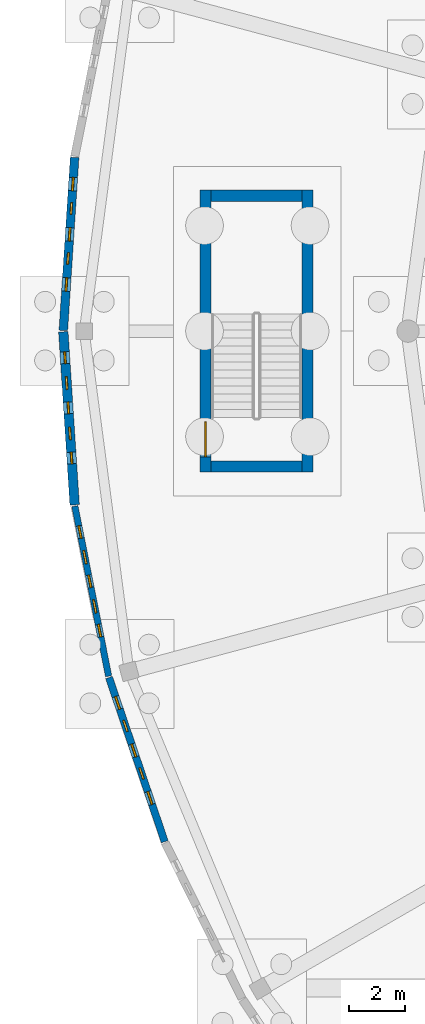
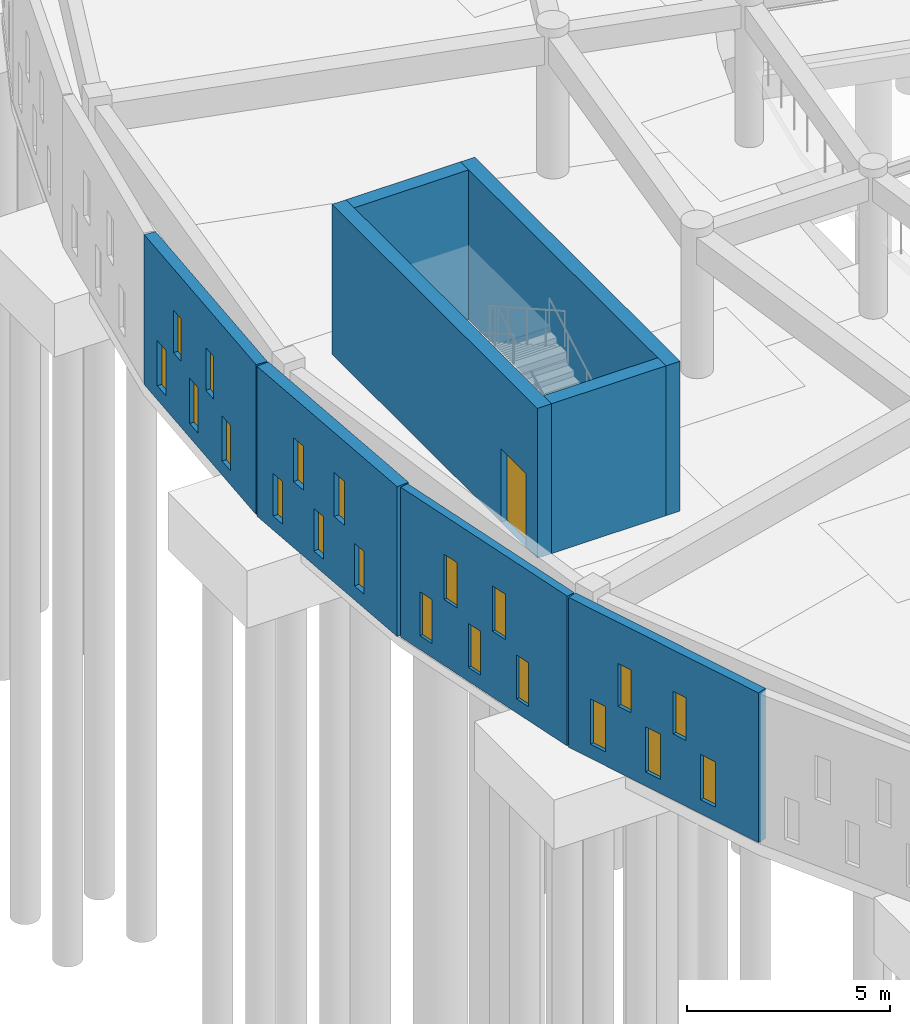
# One storey, part 44 of 84: 20 windows, 8 walls, 1 door, 21 openings.
"""IFC4 building model written with IfcOpenShell, lengths in metres."""

from ifc_helpers import new_model, si_unit, direction, frame, frame_2d, origin, place, context, subcontext, project, spatial, rectangle, extrude, material, layer, layer_set, type_object, element, fill, save


model = new_model("IFC4")

# Units and contexts
model_context = context("Model", 3, precision=1e-05, world=origin(), true_north=direction((0.0, 1.0)))
body_context = subcontext(model_context, "Body", "Model", "MODEL_VIEW")
ifc_project = project(units=[si_unit("LENGTHUNIT", "METRE"), si_unit("AREAUNIT", "SQUARE_METRE"), si_unit("VOLUMEUNIT", "CUBIC_METRE"), si_unit("PLANEANGLEUNIT", "RADIAN"), si_unit("MASSUNIT", "GRAM", prefix="KILO")], contexts=[model_context])

# Site, building, storey
site_placement = place(None, origin())
site = spatial("IfcSite", under=ifc_project, at=site_placement, CompositionType="ELEMENT")
building_placement = place(site_placement, origin())
building = spatial("IfcBuilding", under=site, at=building_placement, Name="Larkveld Mobility Hub", CompositionType="ELEMENT")
storey_placement = place(building_placement, origin())
storey = spatial("IfcBuildingStorey", under=building, at=storey_placement, Name="L00", CompositionType="ELEMENT", Elevation=0.0)

# Wall, openings, windows
ifc_material_1 = material(Name="Fired clay brick 25 MPa", Category="masonry")
ifc_layer_1 = layer(ifc_material_1, 0.22998046875, Name="Fired clay brick 25 MPa", Category="masonry")
ifc_layer_set_1 = layer_set([ifc_layer_1], Name="Fired clay brick 25 MPa")
wall_type_1 = type_object("IfcWallType", Name="WL-BRK-230", PredefinedType="USERDEFINED", material=ifc_layer_set_1)
wall_1_placement = place(storey_placement, frame((0.56396484375, 41.72998046875, 0.0), z_axis=(0.0, 0.0, 1.0), x_axis=(0.195019632022, -0.980799338869, 0.0)))
wall_1 = element("IfcWall", 1, at=wall_1_placement, inside=storey, type_object=wall_type_1, Name="Drum Woven Open-Bond Brick Chord L00-0024", ObjectType="PERFORATED BRICK SCREEN", PredefinedType="USERDEFINED", context=body_context, shape_type="SweptSolid", body=[
    extrude(rectangle(XDim=6.209228515625, YDim=0.22998046875, at=frame_2d((3.1044921875, 0.0))), origin(), (0.0, 0.0, 1.0), 4.5),
])
opening_1_placement = place(wall_1_placement, frame((0.719970703125, 0.0, 0.419921875)))
opening_1 = element("IfcOpeningElement", 2, at=opening_1_placement, cuts=wall_1, Name="Opening W02", PredefinedType="OPENING", context=body_context, shape_type="SweptSolid", body=[
    extrude(rectangle(XDim=0.449951171875, YDim=1.320068359375, at=frame_2d((0.22509765625, 0.66015625))), frame((0.0, 0.125, 0.0), z_axis=(0.0, -1.0, 0.0), x_axis=(1.0, 0.0, 0.0)), (0.0, 0.0, 1.0), 0.25),
])
opening_2_placement = place(wall_1_placement, frame((2.52001953125, 0.0, 0.419921875)))
opening_2 = element("IfcOpeningElement", 3, at=opening_2_placement, cuts=wall_1, Name="Opening W02", PredefinedType="OPENING", context=body_context, shape_type="SweptSolid", body=[
    extrude(rectangle(XDim=0.449951171875, YDim=1.320068359375, at=frame_2d((0.22509765625, 0.66015625))), frame((0.0, 0.125, 0.0), z_axis=(0.0, -1.0, 0.0), x_axis=(1.0, 0.0, 0.0)), (0.0, 0.0, 1.0), 0.25),
])
opening_3_placement = place(wall_1_placement, frame((4.320068359375, 0.0, 0.419921875)))
opening_3 = element("IfcOpeningElement", 4, at=opening_3_placement, cuts=wall_1, Name="Opening W02", PredefinedType="OPENING", context=body_context, shape_type="SweptSolid", body=[
    extrude(rectangle(XDim=0.449951171875, YDim=1.320068359375, at=frame_2d((0.22509765625, 0.66015625))), frame((0.0, 0.125, 0.0), z_axis=(0.0, -1.0, 0.0), x_axis=(1.0, 0.0, 0.0)), (0.0, 0.0, 1.0), 0.25),
])
opening_4_placement = place(wall_1_placement, frame((1.6201171875, 0.0, 1.97998046875)))
opening_4 = element("IfcOpeningElement", 5, at=opening_4_placement, cuts=wall_1, Name="Opening W03", PredefinedType="OPENING", context=body_context, shape_type="SweptSolid", body=[
    extrude(rectangle(XDim=0.47998046875, YDim=1.360107421875, at=frame_2d((0.239990234375, 0.68017578125))), frame((0.0, 0.125, 0.0), z_axis=(0.0, -1.0, 0.0), x_axis=(1.0, 0.0, 0.0)), (0.0, 0.0, 1.0), 0.25),
])
opening_5_placement = place(wall_1_placement, frame((3.419921875, 0.0, 1.97998046875)))
opening_5 = element("IfcOpeningElement", 6, at=opening_5_placement, cuts=wall_1, Name="Opening W03", PredefinedType="OPENING", context=body_context, shape_type="SweptSolid", body=[
    extrude(rectangle(XDim=0.47998046875, YDim=1.360107421875, at=frame_2d((0.239990234375, 0.68017578125))), frame((0.0, 0.125, 0.0), z_axis=(0.0, -1.0, 0.0), x_axis=(1.0, 0.0, 0.0)), (0.0, 0.0, 1.0), 0.25),
])
ifc_material_2 = material(Name="Extruded aluminium ventilation grille", Category="aluminium")
window_type_1 = type_object("IfcWindowType", Name="WN-VENT-02", PartitioningType="SINGLE_PANEL", PredefinedType="WINDOW", material=ifc_material_2)
window_1_placement = place(opening_1_placement, origin())
window_1 = element("IfcWindow", 7, at=window_1_placement, inside=storey, type_object=window_type_1, Name="Window W02 (0116)", OverallHeight=1.320068359375, OverallWidth=0.449951171875, PartitioningType="SINGLE_PANEL", PredefinedType="WINDOW", context=body_context, shape_type="SweptSolid", body=[
    extrude(rectangle(XDim=0.449951171875, YDim=1.320068359375, at=frame_2d((0.22509765625, 0.66015625))), frame((0.0, 0.030029296875, 0.0), z_axis=(0.0, -1.0, 0.0), x_axis=(1.0, 0.0, 0.0)), (0.0, 0.0, 1.0), 0.06005859375),
])
fill(opening_1, window_1)
window_2_placement = place(opening_2_placement, origin())
window_2 = element("IfcWindow", 8, at=window_2_placement, inside=storey, type_object=window_type_1, Name="Window W02 (0117)", OverallHeight=1.320068359375, OverallWidth=0.449951171875, PartitioningType="SINGLE_PANEL", PredefinedType="WINDOW", context=body_context, shape_type="SweptSolid", body=[
    extrude(rectangle(XDim=0.449951171875, YDim=1.320068359375, at=frame_2d((0.22509765625, 0.66015625))), frame((0.0, 0.030029296875, 0.0), z_axis=(0.0, -1.0, 0.0), x_axis=(1.0, 0.0, 0.0)), (0.0, 0.0, 1.0), 0.06005859375),
])
fill(opening_2, window_2)
window_3_placement = place(opening_3_placement, origin())
window_3 = element("IfcWindow", 9, at=window_3_placement, inside=storey, type_object=window_type_1, Name="Window W02 (0118)", OverallHeight=1.320068359375, OverallWidth=0.449951171875, PartitioningType="SINGLE_PANEL", PredefinedType="WINDOW", context=body_context, shape_type="SweptSolid", body=[
    extrude(rectangle(XDim=0.449951171875, YDim=1.320068359375, at=frame_2d((0.22509765625, 0.66015625))), frame((0.0, 0.030029296875, 0.0), z_axis=(0.0, -1.0, 0.0), x_axis=(1.0, 0.0, 0.0)), (0.0, 0.0, 1.0), 0.06005859375),
])
fill(opening_3, window_3)
window_type_2 = type_object("IfcWindowType", Name="WN-VENT-03", PartitioningType="SINGLE_PANEL", PredefinedType="WINDOW", material=ifc_material_2)
window_4_placement = place(opening_4_placement, origin())
window_4 = element("IfcWindow", 10, at=window_4_placement, inside=storey, type_object=window_type_2, Name="Window W03 (0119)", OverallHeight=1.360107421875, OverallWidth=0.47998046875, PartitioningType="SINGLE_PANEL", PredefinedType="WINDOW", context=body_context, shape_type="SweptSolid", body=[
    extrude(rectangle(XDim=0.47998046875, YDim=1.360107421875, at=frame_2d((0.239990234375, 0.68017578125))), frame((0.0, 0.030029296875, 0.0), z_axis=(0.0, -1.0, 0.0), x_axis=(1.0, 0.0, 0.0)), (0.0, 0.0, 1.0), 0.06005859375),
])
fill(opening_4, window_4)
window_5_placement = place(opening_5_placement, origin())
window_5 = element("IfcWindow", 11, at=window_5_placement, inside=storey, type_object=window_type_2, Name="Window W03 (0120)", OverallHeight=1.360107421875, OverallWidth=0.47998046875, PartitioningType="SINGLE_PANEL", PredefinedType="WINDOW", context=body_context, shape_type="SweptSolid", body=[
    extrude(rectangle(XDim=0.47998046875, YDim=1.360107421875, at=frame_2d((0.239990234375, 0.68017578125))), frame((0.0, 0.030029296875, 0.0), z_axis=(0.0, -1.0, 0.0), x_axis=(1.0, 0.0, 0.0)), (0.0, 0.0, 1.0), 0.06005859375),
])
fill(opening_5, window_5)

ifc_layer_2 = layer(ifc_material_1, 0.260009765625, Name="Fired clay brick 25 MPa", Category="masonry")
ifc_layer_set_2 = layer_set([ifc_layer_2], Name="Fired clay brick 25 MPa")
wall_type_2 = type_object("IfcWallType", Name="WL-BRK-260", PredefinedType="USERDEFINED", material=ifc_layer_set_2)
wall_2_placement = place(storey_placement, frame((1.7880859375, 35.593017578125, 0.0), z_axis=(0.0, 0.0, 1.0), x_axis=(0.321364960579, -0.946955417172, 0.0)))
wall_2 = element("IfcWall", 12, at=wall_2_placement, inside=storey, type_object=wall_type_2, Name="Drum Woven Open-Bond Brick Chord L00-0025", ObjectType="PERFORATED BRICK SCREEN", PredefinedType="USERDEFINED", context=body_context, shape_type="SweptSolid", body=[
    extrude(rectangle(XDim=6.21044921875, YDim=0.260009765625, at=frame_2d((3.105224609375, 0.0))), origin(), (0.0, 0.0, 1.0), 4.5),
])
opening_6_placement = place(wall_2_placement, frame((0.719970703125, 0.0, 0.419921875)))
opening_6 = element("IfcOpeningElement", 13, at=opening_6_placement, cuts=wall_2, Name="Opening W03", PredefinedType="OPENING", context=body_context, shape_type="SweptSolid", body=[
    extrude(rectangle(XDim=0.47998046875, YDim=1.360107421875, at=frame_2d((0.239990234375, 0.68017578125))), frame((0.0, 0.14013671875, 0.0), z_axis=(0.0, -1.0, 0.0), x_axis=(1.0, 0.0, 0.0)), (0.0, 0.0, 1.0), 0.280029296875),
])
opening_7_placement = place(wall_2_placement, frame((2.52001953125, 0.0, 0.419921875)))
opening_7 = element("IfcOpeningElement", 14, at=opening_7_placement, cuts=wall_2, Name="Opening W03", PredefinedType="OPENING", context=body_context, shape_type="SweptSolid", body=[
    extrude(rectangle(XDim=0.47998046875, YDim=1.360107421875, at=frame_2d((0.239990234375, 0.68017578125))), frame((0.0, 0.14013671875, 0.0), z_axis=(0.0, -1.0, 0.0), x_axis=(1.0, 0.0, 0.0)), (0.0, 0.0, 1.0), 0.280029296875),
])
opening_8_placement = place(wall_2_placement, frame((4.320068359375, 0.0, 0.419921875)))
opening_8 = element("IfcOpeningElement", 15, at=opening_8_placement, cuts=wall_2, Name="Opening W03", PredefinedType="OPENING", context=body_context, shape_type="SweptSolid", body=[
    extrude(rectangle(XDim=0.47998046875, YDim=1.360107421875, at=frame_2d((0.239990234375, 0.68017578125))), frame((0.0, 0.14013671875, 0.0), z_axis=(0.0, -1.0, 0.0), x_axis=(1.0, 0.0, 0.0)), (0.0, 0.0, 1.0), 0.280029296875),
])
opening_9_placement = place(wall_2_placement, frame((1.6201171875, 0.0, 1.97998046875)))
opening_9 = element("IfcOpeningElement", 16, at=opening_9_placement, cuts=wall_2, Name="Opening W01", PredefinedType="OPENING", context=body_context, shape_type="SweptSolid", body=[
    extrude(rectangle(XDim=0.419921875, YDim=1.280029296875, at=frame_2d((0.2099609375, 0.64013671875))), frame((0.0, 0.14013671875, 0.0), z_axis=(0.0, -1.0, 0.0), x_axis=(1.0, 0.0, 0.0)), (0.0, 0.0, 1.0), 0.280029296875),
])
opening_10_placement = place(wall_2_placement, frame((3.419921875, 0.0, 1.97998046875)))
opening_10 = element("IfcOpeningElement", 17, at=opening_10_placement, cuts=wall_2, Name="Opening W01", PredefinedType="OPENING", context=body_context, shape_type="SweptSolid", body=[
    extrude(rectangle(XDim=0.419921875, YDim=1.280029296875, at=frame_2d((0.2099609375, 0.64013671875))), frame((0.0, 0.14013671875, 0.0), z_axis=(0.0, -1.0, 0.0), x_axis=(1.0, 0.0, 0.0)), (0.0, 0.0, 1.0), 0.280029296875),
])
window_type_3 = type_object("IfcWindowType", Name="WN-VENT-01", PartitioningType="SINGLE_PANEL", PredefinedType="WINDOW", material=ifc_material_2)
window_6_placement = place(opening_9_placement, origin())
window_6 = element("IfcWindow", 18, at=window_6_placement, inside=storey, type_object=window_type_3, Name="Window W01 (0124)", OverallHeight=1.280029296875, OverallWidth=0.419921875, PartitioningType="SINGLE_PANEL", PredefinedType="WINDOW", context=body_context, shape_type="SweptSolid", body=[
    extrude(rectangle(XDim=0.419921875, YDim=1.280029296875, at=frame_2d((0.2099609375, 0.64013671875))), frame((0.0, 0.030029296875, 0.0), z_axis=(0.0, -1.0, 0.0), x_axis=(1.0, 0.0, 0.0)), (0.0, 0.0, 1.0), 0.06005859375),
])
fill(opening_9, window_6)
window_7_placement = place(opening_10_placement, origin())
window_7 = element("IfcWindow", 19, at=window_7_placement, inside=storey, type_object=window_type_3, Name="Window W01 (0125)", OverallHeight=1.280029296875, OverallWidth=0.419921875, PartitioningType="SINGLE_PANEL", PredefinedType="WINDOW", context=body_context, shape_type="SweptSolid", body=[
    extrude(rectangle(XDim=0.419921875, YDim=1.280029296875, at=frame_2d((0.2099609375, 0.64013671875))), frame((0.0, 0.030029296875, 0.0), z_axis=(0.0, -1.0, 0.0), x_axis=(1.0, 0.0, 0.0)), (0.0, 0.0, 1.0), 0.06005859375),
])
fill(opening_10, window_7)
window_8_placement = place(opening_6_placement, origin())
window_8 = element("IfcWindow", 20, at=window_8_placement, inside=storey, type_object=window_type_2, Name="Window W03 (0121)", OverallHeight=1.360107421875, OverallWidth=0.47998046875, PartitioningType="SINGLE_PANEL", PredefinedType="WINDOW", context=body_context, shape_type="SweptSolid", body=[
    extrude(rectangle(XDim=0.47998046875, YDim=1.360107421875, at=frame_2d((0.239990234375, 0.68017578125))), frame((0.0, 0.030029296875, 0.0), z_axis=(0.0, -1.0, 0.0), x_axis=(1.0, 0.0, 0.0)), (0.0, 0.0, 1.0), 0.06005859375),
])
fill(opening_6, window_8)
window_9_placement = place(opening_7_placement, origin())
window_9 = element("IfcWindow", 21, at=window_9_placement, inside=storey, type_object=window_type_2, Name="Window W03 (0122)", OverallHeight=1.360107421875, OverallWidth=0.47998046875, PartitioningType="SINGLE_PANEL", PredefinedType="WINDOW", context=body_context, shape_type="SweptSolid", body=[
    extrude(rectangle(XDim=0.47998046875, YDim=1.360107421875, at=frame_2d((0.239990234375, 0.68017578125))), frame((0.0, 0.030029296875, 0.0), z_axis=(0.0, -1.0, 0.0), x_axis=(1.0, 0.0, 0.0)), (0.0, 0.0, 1.0), 0.06005859375),
])
fill(opening_7, window_9)
window_10_placement = place(opening_8_placement, origin())
window_10 = element("IfcWindow", 22, at=window_10_placement, inside=storey, type_object=window_type_2, Name="Window W03 (0123)", OverallHeight=1.360107421875, OverallWidth=0.47998046875, PartitioningType="SINGLE_PANEL", PredefinedType="WINDOW", context=body_context, shape_type="SweptSolid", body=[
    extrude(rectangle(XDim=0.47998046875, YDim=1.360107421875, at=frame_2d((0.239990234375, 0.68017578125))), frame((0.0, 0.030029296875, 0.0), z_axis=(0.0, -1.0, 0.0), x_axis=(1.0, 0.0, 0.0)), (0.0, 0.0, 1.0), 0.06005859375),
])
fill(opening_8, window_10)

ifc_layer_3 = layer(ifc_material_1, 0.31005859375, Name="Fired clay brick 25 MPa", Category="masonry")
ifc_layer_set_3 = layer_set([ifc_layer_3], Name="Fired clay brick 25 MPa")
wall_type_3 = type_object("IfcWallType", Name="WL-BRK-310", PredefinedType="USERDEFINED", material=ifc_layer_set_3)
wall_3_placement = place(storey_placement, frame((0.556884765625, 54.221923828125, 0.0), z_axis=(0.0, 0.0, 1.0), x_axis=(-0.065170180182, -0.997874164219, 0.0)))
wall_3 = element("IfcWall", 23, at=wall_3_placement, inside=storey, type_object=wall_type_3, Name="Drum Woven Open-Bond Brick Chord L00-0022", ObjectType="PERFORATED BRICK SCREEN", PredefinedType="USERDEFINED", context=body_context, shape_type="SweptSolid", body=[
    extrude(rectangle(XDim=6.211181640625, YDim=0.31005859375, at=frame_2d((3.10546875, 0.0))), origin(), (0.0, 0.0, 1.0), 4.5),
])
opening_11_placement = place(wall_3_placement, frame((0.719970703125, 0.0, 0.419921875)))
opening_11 = element("IfcOpeningElement", 24, at=opening_11_placement, cuts=wall_3, Name="Opening W03", PredefinedType="OPENING", context=body_context, shape_type="SweptSolid", body=[
    extrude(rectangle(XDim=0.47998046875, YDim=1.360107421875, at=frame_2d((0.239990234375, 0.68017578125))), frame((0.0, 0.1650390625, 0.0), z_axis=(0.0, -1.0, 0.0), x_axis=(1.0, 0.0, 0.0)), (0.0, 0.0, 1.0), 0.330078125),
])
opening_12_placement = place(wall_3_placement, frame((2.52001953125, 0.0, 0.419921875)))
opening_12 = element("IfcOpeningElement", 25, at=opening_12_placement, cuts=wall_3, Name="Opening W03", PredefinedType="OPENING", context=body_context, shape_type="SweptSolid", body=[
    extrude(rectangle(XDim=0.47998046875, YDim=1.360107421875, at=frame_2d((0.239990234375, 0.68017578125))), frame((0.0, 0.1650390625, 0.0), z_axis=(0.0, -1.0, 0.0), x_axis=(1.0, 0.0, 0.0)), (0.0, 0.0, 1.0), 0.330078125),
])
opening_13_placement = place(wall_3_placement, frame((4.320068359375, 0.0, 0.419921875)))
opening_13 = element("IfcOpeningElement", 26, at=opening_13_placement, cuts=wall_3, Name="Opening W03", PredefinedType="OPENING", context=body_context, shape_type="SweptSolid", body=[
    extrude(rectangle(XDim=0.47998046875, YDim=1.360107421875, at=frame_2d((0.239990234375, 0.68017578125))), frame((0.0, 0.1650390625, 0.0), z_axis=(0.0, -1.0, 0.0), x_axis=(1.0, 0.0, 0.0)), (0.0, 0.0, 1.0), 0.330078125),
])
opening_14_placement = place(wall_3_placement, frame((1.6201171875, 0.0, 1.97998046875)))
opening_14 = element("IfcOpeningElement", 27, at=opening_14_placement, cuts=wall_3, Name="Opening W01", PredefinedType="OPENING", context=body_context, shape_type="SweptSolid", body=[
    extrude(rectangle(XDim=0.419921875, YDim=1.280029296875, at=frame_2d((0.2099609375, 0.64013671875))), frame((0.0, 0.1650390625, 0.0), z_axis=(0.0, -1.0, 0.0), x_axis=(1.0, 0.0, 0.0)), (0.0, 0.0, 1.0), 0.330078125),
])
opening_15_placement = place(wall_3_placement, frame((3.419921875, 0.0, 1.97998046875)))
opening_15 = element("IfcOpeningElement", 28, at=opening_15_placement, cuts=wall_3, Name="Opening W01", PredefinedType="OPENING", context=body_context, shape_type="SweptSolid", body=[
    extrude(rectangle(XDim=0.419921875, YDim=1.280029296875, at=frame_2d((0.2099609375, 0.64013671875))), frame((0.0, 0.1650390625, 0.0), z_axis=(0.0, -1.0, 0.0), x_axis=(1.0, 0.0, 0.0)), (0.0, 0.0, 1.0), 0.330078125),
])
window_11_placement = place(opening_14_placement, origin())
window_11 = element("IfcWindow", 29, at=window_11_placement, inside=storey, type_object=window_type_3, Name="Window W01 (0109)", OverallHeight=1.280029296875, OverallWidth=0.419921875, PartitioningType="SINGLE_PANEL", PredefinedType="WINDOW", context=body_context, shape_type="SweptSolid", body=[
    extrude(rectangle(XDim=0.419921875, YDim=1.280029296875, at=frame_2d((0.2099609375, 0.64013671875))), frame((0.0, 0.030029296875, 0.0), z_axis=(0.0, -1.0, 0.0), x_axis=(1.0, 0.0, 0.0)), (0.0, 0.0, 1.0), 0.06005859375),
])
fill(opening_14, window_11)
window_12_placement = place(opening_15_placement, origin())
window_12 = element("IfcWindow", 30, at=window_12_placement, inside=storey, type_object=window_type_3, Name="Window W01 (0110)", OverallHeight=1.280029296875, OverallWidth=0.419921875, PartitioningType="SINGLE_PANEL", PredefinedType="WINDOW", context=body_context, shape_type="SweptSolid", body=[
    extrude(rectangle(XDim=0.419921875, YDim=1.280029296875, at=frame_2d((0.2099609375, 0.64013671875))), frame((0.0, 0.030029296875, 0.0), z_axis=(0.0, -1.0, 0.0), x_axis=(1.0, 0.0, 0.0)), (0.0, 0.0, 1.0), 0.06005859375),
])
fill(opening_15, window_12)
window_13_placement = place(opening_11_placement, origin())
window_13 = element("IfcWindow", 31, at=window_13_placement, inside=storey, type_object=window_type_2, Name="Window W03 (0106)", OverallHeight=1.360107421875, OverallWidth=0.47998046875, PartitioningType="SINGLE_PANEL", PredefinedType="WINDOW", context=body_context, shape_type="SweptSolid", body=[
    extrude(rectangle(XDim=0.47998046875, YDim=1.360107421875, at=frame_2d((0.239990234375, 0.68017578125))), frame((0.0, 0.030029296875, 0.0), z_axis=(0.0, -1.0, 0.0), x_axis=(1.0, 0.0, 0.0)), (0.0, 0.0, 1.0), 0.06005859375),
])
fill(opening_11, window_13)
window_14_placement = place(opening_12_placement, origin())
window_14 = element("IfcWindow", 32, at=window_14_placement, inside=storey, type_object=window_type_2, Name="Window W03 (0107)", OverallHeight=1.360107421875, OverallWidth=0.47998046875, PartitioningType="SINGLE_PANEL", PredefinedType="WINDOW", context=body_context, shape_type="SweptSolid", body=[
    extrude(rectangle(XDim=0.47998046875, YDim=1.360107421875, at=frame_2d((0.239990234375, 0.68017578125))), frame((0.0, 0.030029296875, 0.0), z_axis=(0.0, -1.0, 0.0), x_axis=(1.0, 0.0, 0.0)), (0.0, 0.0, 1.0), 0.06005859375),
])
fill(opening_12, window_14)
window_15_placement = place(opening_13_placement, origin())
window_15 = element("IfcWindow", 33, at=window_15_placement, inside=storey, type_object=window_type_2, Name="Window W03 (0108)", OverallHeight=1.360107421875, OverallWidth=0.47998046875, PartitioningType="SINGLE_PANEL", PredefinedType="WINDOW", context=body_context, shape_type="SweptSolid", body=[
    extrude(rectangle(XDim=0.47998046875, YDim=1.360107421875, at=frame_2d((0.239990234375, 0.68017578125))), frame((0.0, 0.030029296875, 0.0), z_axis=(0.0, -1.0, 0.0), x_axis=(1.0, 0.0, 0.0)), (0.0, 0.0, 1.0), 0.06005859375),
])
fill(opening_13, window_15)

ifc_layer_4 = layer(ifc_material_1, 0.340087890625, Name="Fired clay brick 25 MPa", Category="masonry")
ifc_layer_set_4 = layer_set([ifc_layer_4], Name="Fired clay brick 25 MPa")
wall_type_4 = type_object("IfcWallType", Name="WL-BRK-340", PredefinedType="USERDEFINED", material=ifc_layer_set_4)
wall_4_placement = place(storey_placement, frame((0.152099609375, 47.97607421875, 0.0), z_axis=(0.0, 0.0, 1.0), x_axis=(0.065170180182, -0.997874164219, 0.0)))
wall_4 = element("IfcWall", 34, at=wall_4_placement, inside=storey, type_object=wall_type_4, Name="Drum Woven Open-Bond Brick Chord L00-0023", ObjectType="PERFORATED BRICK SCREEN", PredefinedType="USERDEFINED", context=body_context, shape_type="SweptSolid", body=[
    extrude(rectangle(XDim=6.211181640625, YDim=0.340087890625, at=frame_2d((3.10546875, 0.0))), origin(), (0.0, 0.0, 1.0), 4.5),
])
opening_16_placement = place(wall_4_placement, frame((0.719970703125, 0.0, 0.419921875)))
opening_16 = element("IfcOpeningElement", 35, at=opening_16_placement, cuts=wall_4, Name="Opening W01", PredefinedType="OPENING", context=body_context, shape_type="SweptSolid", body=[
    extrude(rectangle(XDim=0.419921875, YDim=1.280029296875, at=frame_2d((0.2099609375, 0.64013671875))), frame((0.0, 0.18017578125, 0.0), z_axis=(0.0, -1.0, 0.0), x_axis=(1.0, 0.0, 0.0)), (0.0, 0.0, 1.0), 0.360107421875),
])
opening_17_placement = place(wall_4_placement, frame((2.52001953125, 0.0, 0.419921875)))
opening_17 = element("IfcOpeningElement", 36, at=opening_17_placement, cuts=wall_4, Name="Opening W01", PredefinedType="OPENING", context=body_context, shape_type="SweptSolid", body=[
    extrude(rectangle(XDim=0.419921875, YDim=1.280029296875, at=frame_2d((0.2099609375, 0.64013671875))), frame((0.0, 0.18017578125, 0.0), z_axis=(0.0, -1.0, 0.0), x_axis=(1.0, 0.0, 0.0)), (0.0, 0.0, 1.0), 0.360107421875),
])
opening_18_placement = place(wall_4_placement, frame((4.320068359375, 0.0, 0.419921875)))
opening_18 = element("IfcOpeningElement", 37, at=opening_18_placement, cuts=wall_4, Name="Opening W01", PredefinedType="OPENING", context=body_context, shape_type="SweptSolid", body=[
    extrude(rectangle(XDim=0.419921875, YDim=1.280029296875, at=frame_2d((0.2099609375, 0.64013671875))), frame((0.0, 0.18017578125, 0.0), z_axis=(0.0, -1.0, 0.0), x_axis=(1.0, 0.0, 0.0)), (0.0, 0.0, 1.0), 0.360107421875),
])
opening_19_placement = place(wall_4_placement, frame((1.6201171875, 0.0, 1.97998046875)))
opening_19 = element("IfcOpeningElement", 38, at=opening_19_placement, cuts=wall_4, Name="Opening W02", PredefinedType="OPENING", context=body_context, shape_type="SweptSolid", body=[
    extrude(rectangle(XDim=0.449951171875, YDim=1.320068359375, at=frame_2d((0.22509765625, 0.66015625))), frame((0.0, 0.18017578125, 0.0), z_axis=(0.0, -1.0, 0.0), x_axis=(1.0, 0.0, 0.0)), (0.0, 0.0, 1.0), 0.360107421875),
])
opening_20_placement = place(wall_4_placement, frame((3.419921875, 0.0, 1.97998046875)))
opening_20 = element("IfcOpeningElement", 39, at=opening_20_placement, cuts=wall_4, Name="Opening W02", PredefinedType="OPENING", context=body_context, shape_type="SweptSolid", body=[
    extrude(rectangle(XDim=0.449951171875, YDim=1.320068359375, at=frame_2d((0.22509765625, 0.66015625))), frame((0.0, 0.18017578125, 0.0), z_axis=(0.0, -1.0, 0.0), x_axis=(1.0, 0.0, 0.0)), (0.0, 0.0, 1.0), 0.360107421875),
])
window_16_placement = place(opening_16_placement, origin())
window_16 = element("IfcWindow", 40, at=window_16_placement, inside=storey, type_object=window_type_3, Name="Window W01 (0111)", OverallHeight=1.280029296875, OverallWidth=0.419921875, PartitioningType="SINGLE_PANEL", PredefinedType="WINDOW", context=body_context, shape_type="SweptSolid", body=[
    extrude(rectangle(XDim=0.419921875, YDim=1.280029296875, at=frame_2d((0.2099609375, 0.64013671875))), frame((0.0, 0.030029296875, 0.0), z_axis=(0.0, -1.0, 0.0), x_axis=(1.0, 0.0, 0.0)), (0.0, 0.0, 1.0), 0.06005859375),
])
fill(opening_16, window_16)
window_17_placement = place(opening_17_placement, origin())
window_17 = element("IfcWindow", 41, at=window_17_placement, inside=storey, type_object=window_type_3, Name="Window W01 (0112)", OverallHeight=1.280029296875, OverallWidth=0.419921875, PartitioningType="SINGLE_PANEL", PredefinedType="WINDOW", context=body_context, shape_type="SweptSolid", body=[
    extrude(rectangle(XDim=0.419921875, YDim=1.280029296875, at=frame_2d((0.2099609375, 0.64013671875))), frame((0.0, 0.030029296875, 0.0), z_axis=(0.0, -1.0, 0.0), x_axis=(1.0, 0.0, 0.0)), (0.0, 0.0, 1.0), 0.06005859375),
])
fill(opening_17, window_17)
window_18_placement = place(opening_18_placement, origin())
window_18 = element("IfcWindow", 42, at=window_18_placement, inside=storey, type_object=window_type_3, Name="Window W01 (0113)", OverallHeight=1.280029296875, OverallWidth=0.419921875, PartitioningType="SINGLE_PANEL", PredefinedType="WINDOW", context=body_context, shape_type="SweptSolid", body=[
    extrude(rectangle(XDim=0.419921875, YDim=1.280029296875, at=frame_2d((0.2099609375, 0.64013671875))), frame((0.0, 0.030029296875, 0.0), z_axis=(0.0, -1.0, 0.0), x_axis=(1.0, 0.0, 0.0)), (0.0, 0.0, 1.0), 0.06005859375),
])
fill(opening_18, window_18)
window_19_placement = place(opening_19_placement, origin())
window_19 = element("IfcWindow", 43, at=window_19_placement, inside=storey, type_object=window_type_1, Name="Window W02 (0114)", OverallHeight=1.320068359375, OverallWidth=0.449951171875, PartitioningType="SINGLE_PANEL", PredefinedType="WINDOW", context=body_context, shape_type="SweptSolid", body=[
    extrude(rectangle(XDim=0.449951171875, YDim=1.320068359375, at=frame_2d((0.22509765625, 0.66015625))), frame((0.0, 0.030029296875, 0.0), z_axis=(0.0, -1.0, 0.0), x_axis=(1.0, 0.0, 0.0)), (0.0, 0.0, 1.0), 0.06005859375),
])
fill(opening_19, window_19)
window_20_placement = place(opening_20_placement, origin())
window_20 = element("IfcWindow", 44, at=window_20_placement, inside=storey, type_object=window_type_1, Name="Window W02 (0115)", OverallHeight=1.320068359375, OverallWidth=0.449951171875, PartitioningType="SINGLE_PANEL", PredefinedType="WINDOW", context=body_context, shape_type="SweptSolid", body=[
    extrude(rectangle(XDim=0.449951171875, YDim=1.320068359375, at=frame_2d((0.22509765625, 0.66015625))), frame((0.0, 0.030029296875, 0.0), z_axis=(0.0, -1.0, 0.0), x_axis=(1.0, 0.0, 0.0)), (0.0, 0.0, 1.0), 0.06005859375),
])
fill(opening_20, window_20)

# Wall, opening, door
ifc_material_3 = material(Name="Concrete C40/50", Category="concrete")
ifc_layer_5 = layer(ifc_material_3, 0.39990234375, Name="Concrete C40/50", Category="concrete")
ifc_layer_set_5 = layer_set([ifc_layer_5], Name="Concrete C40/50")
wall_type_5 = type_object("IfcWallType", Name="WL-SHR-07", PredefinedType="SHEAR", material=ifc_layer_set_5)
wall_5_placement = place(storey_placement, frame((5.25, 42.949951171875, 0.0), z_axis=(0.0, 0.0, 1.0), x_axis=(0.0, 1.0, 0.0)))
wall_5 = element("IfcWall", 45, at=wall_5_placement, inside=storey, type_object=wall_type_5, Name="Core C7 Stair Shear Wall L00-W", PredefinedType="SHEAR", context=body_context, shape_type="SweptSolid", body=[
    extrude(rectangle(XDim=10.10009765625, YDim=0.39990234375, at=frame_2d((5.050048828125, 0.0))), origin(), (0.0, 0.0, 1.0), 4.5),
])
opening_21_placement = place(wall_5_placement, frame((0.550048828125, 0.0, 0.0)))
opening_21 = element("IfcOpeningElement", 46, at=opening_21_placement, cuts=wall_5, Name="Opening ED08", PredefinedType="OPENING", context=body_context, shape_type="SweptSolid", body=[
    extrude(rectangle(XDim=1.25, YDim=2.199951171875, at=frame_2d((0.625, 1.10009765625))), frame((0.0, 0.2099609375, 0.0), z_axis=(0.0, -1.0, 0.0), x_axis=(1.0, 0.0, 0.0)), (0.0, 0.0, 1.0), 0.419921875),
])
ifc_material_4 = material(Name="Galvanised steel final exit door", Category="steel")
door_type = type_object("IfcDoorType", Name="DR-EXT-ESC12", OperationType="NOTDEFINED", PredefinedType="DOOR", material=ifc_material_4)
door_placement = place(opening_21_placement, origin())
door = element("IfcDoor", 47, at=door_placement, inside=storey, type_object=door_type, Name="Stair ST7 Fire Door L00", OperationType="SINGLE_SWING_RIGHT", OverallHeight=2.199951171875, OverallWidth=1.25, PredefinedType="DOOR", context=body_context, shape_type="SweptSolid", body=[
    extrude(rectangle(XDim=1.25, YDim=2.199951171875, at=frame_2d((0.625, 1.10009765625))), frame((0.0, 0.02490234375, 0.0), z_axis=(0.0, -1.0, 0.0), x_axis=(1.0, 0.0, 0.0)), (0.0, 0.0, 1.0), 0.050048828125),
])
fill(opening_21, door)

# Walls
wall_6_placement = place(storey_placement, frame((8.89990234375, 53.050048828125, 0.0), z_axis=(0.0, 0.0, 1.0), x_axis=(0.0, -1.0, 0.0)))
element("IfcWall", 48, at=wall_6_placement, inside=storey, type_object=wall_type_5, Name="Core C7 Stair Shear Wall L00-E", PredefinedType="SHEAR", context=body_context, shape_type="SweptSolid", body=[
    extrude(rectangle(XDim=10.10009765625, YDim=0.39990234375, at=frame_2d((5.050048828125, 0.0))), origin(), (0.0, 0.0, 1.0), 4.5),
])
for number, where, z_axis, x_axis, name in (
    (49, (8.699951171875, 43.14990234375, 0.0), (0.0, 0.0, 1.0), (-1.0, 0.0, 0.0), "Core C7 Stair Shear Wall L00-S"),
    (50, (5.449951171875, 52.85009765625, 0.0), (0.0, 0.0, 1.0), (1.0, 0.0, 0.0), "Core C7 Stair Shear Wall L00-N"),
):
    element("IfcWall", number, at=place(storey_placement, frame(where, z_axis=z_axis, x_axis=x_axis)), inside=storey, type_object=wall_type_5, Name=name, PredefinedType="SHEAR", context=body_context, shape_type="SweptSolid", body=[
        extrude(rectangle(XDim=3.25, YDim=0.39990234375, at=frame_2d((1.625, 0.0))), origin(), (0.0, 0.0, 1.0), 4.5),
    ])

save(model, "model.ifc")
